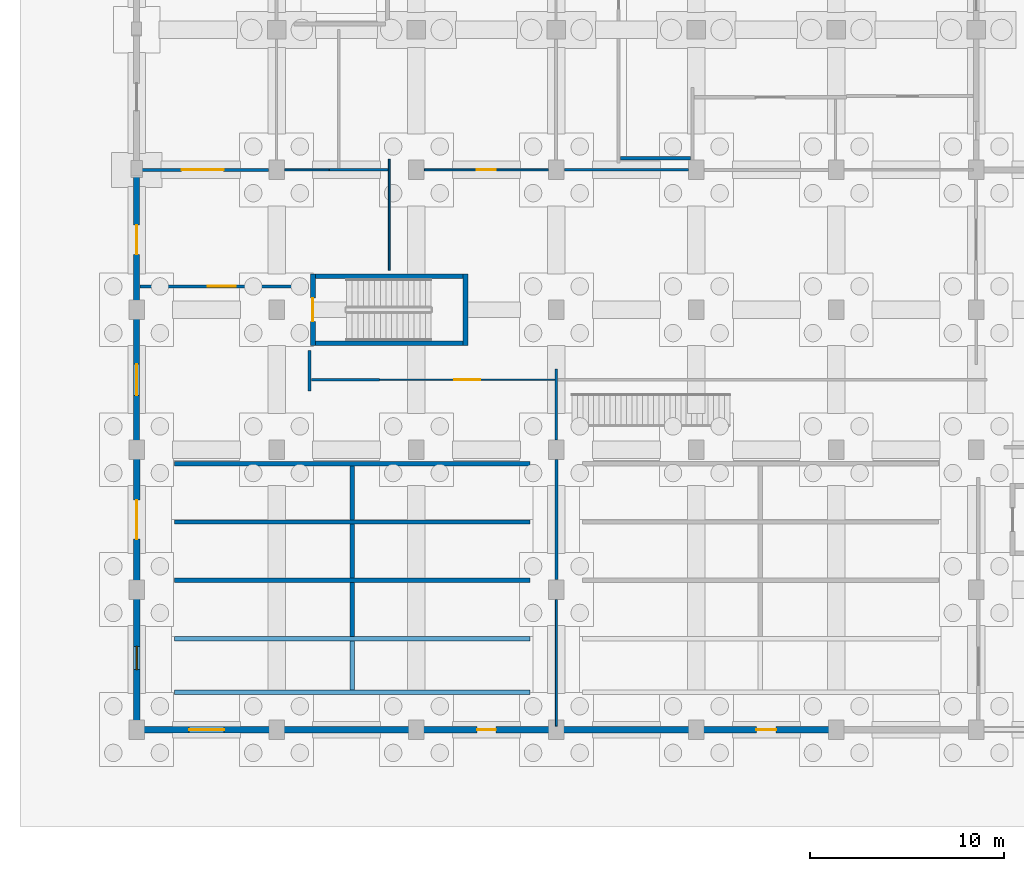
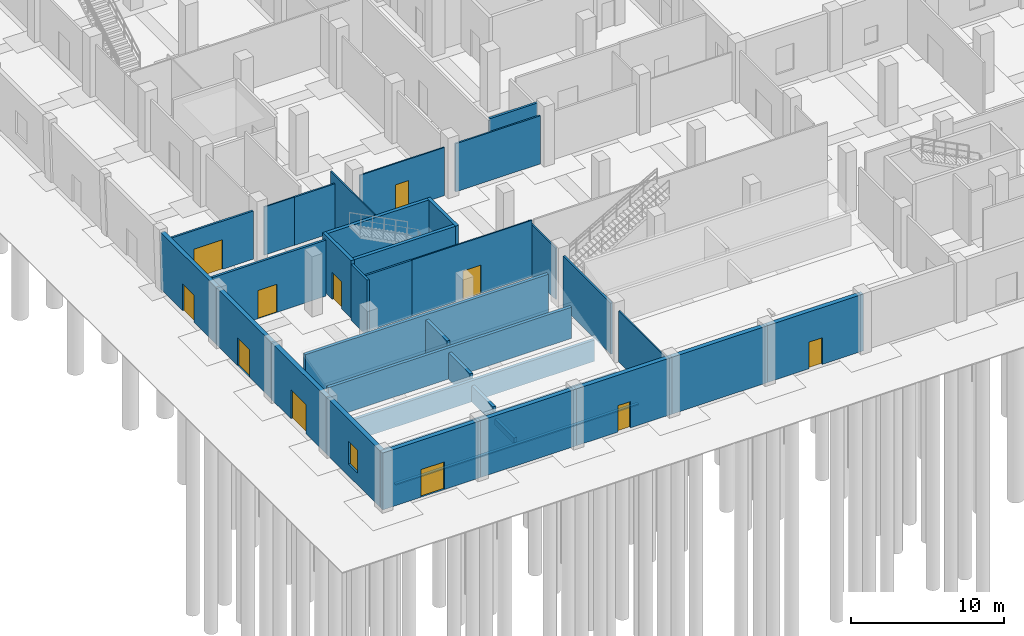
# One storey, part 18 of 48: 36 walls, 11 doors, 1 window, 12 openings.
"""IFC4 building model written with IfcOpenShell, lengths in metres."""

from ifc_helpers import new_model, si_unit, direction, frame, frame_2d, origin, place, context, subcontext, project, spatial, rectangle, extrude, material, layer, layer_set, type_object, element, fill, save


model = new_model("IFC4")

# Units and contexts
model_context = context("Model", 3, precision=1e-05, world=origin(), true_north=direction((0.0, 1.0)))
body_context = subcontext(model_context, "Body", "Model", "MODEL_VIEW")
ifc_project = project(units=[si_unit("LENGTHUNIT", "METRE"), si_unit("AREAUNIT", "SQUARE_METRE"), si_unit("VOLUMEUNIT", "CUBIC_METRE"), si_unit("PLANEANGLEUNIT", "RADIAN"), si_unit("MASSUNIT", "GRAM", prefix="KILO")], contexts=[model_context])

# Site, building, storey
site_placement = place(None, origin())
site = spatial("IfcSite", under=ifc_project, at=site_placement, CompositionType="ELEMENT")
building_placement = place(site_placement, origin())
building = spatial("IfcBuilding", under=site, at=building_placement, Name="Seraya Terrace Polytechnic", CompositionType="ELEMENT")
storey_placement = place(building_placement, origin())
storey = spatial("IfcBuildingStorey", under=building, at=storey_placement, Name="L00", CompositionType="ELEMENT", Elevation=0.0)

# Wall, opening, door
ifc_material_1 = material(Name="Concrete C40/50", Category="concrete")
ifc_layer_1 = layer(ifc_material_1, 0.300048828125, Name="EW-01")
ifc_layer_set_1 = layer_set([ifc_layer_1], Name="Concrete C40/50")
wall_type_1 = type_object("IfcWallType", Name="EW-01", PredefinedType="SOLIDWALL", material=ifc_layer_set_1)
wall_1_placement = place(storey_placement, frame((0.0, 14.39990234375, 0.0), z_axis=(0.0, 0.0, 1.0), x_axis=(0.0, 1.0, 0.0)))
wall_1 = element("IfcWall", 1, at=wall_1_placement, inside=storey, type_object=wall_type_1, Name="Exterior structural wall EW-01 L00", PredefinedType="SOLIDWALL", context=body_context, shape_type="SweptSolid", body=[
    extrude(rectangle(XDim=7.2001953125, YDim=0.300048828125, at=frame_2d((3.60009765625, 0.0))), origin(), (0.0, 0.0, 1.0), 4.52001953125),
])
opening_1_placement = place(wall_1_placement, frame((2.800048828125, 0.0, 0.0)))
opening_1 = element("IfcOpeningElement", 2, at=opening_1_placement, cuts=wall_1, Name="Opening ED-03", PredefinedType="OPENING", context=body_context, shape_type="SweptSolid", body=[
    extrude(rectangle(XDim=1.60009765625, YDim=2.199951171875, at=frame_2d((0.800048828125, 1.10009765625))), frame((0.0, 0.162109375, 0.0), z_axis=(0.0, -1.0, 0.0), x_axis=(1.0, 0.0, 0.0)), (0.0, 0.0, 1.0), 0.323974609375),
])
ifc_material_2 = material(Name="Anodised aluminium EN AW-6063 T6", Category="aluminium")
door_type_1 = type_object("IfcDoorType", Name="ED-03", OperationType="DOUBLE_DOOR_SINGLE_SWING", PredefinedType="DOOR", material=ifc_material_2)
door_1_placement = place(opening_1_placement, origin())
door_1 = element("IfcDoor", 3, at=door_1_placement, inside=storey, type_object=door_type_1, Name="Door ED-03 DR-STEXIT-ST-09 in WL-EXT-L00-09-02", OperationType="DOUBLE_DOOR_SINGLE_SWING", OverallHeight=2.199951171875, OverallWidth=1.60009765625, PredefinedType="DOOR", context=body_context, shape_type="SweptSolid", body=[
    extrude(rectangle(XDim=1.60009765625, YDim=2.199951171875, at=frame_2d((0.800048828125, 1.10009765625))), frame((0.0, 0.02490234375, 0.0), z_axis=(0.0, -1.0, 0.0), x_axis=(1.0, 0.0, 0.0)), (0.0, 0.0, 1.0), 0.050048828125),
])
fill(opening_1, door_1)

wall_2_placement = place(storey_placement, frame((0.0, 21.60009765625, 0.0), z_axis=(0.0, 0.0, 1.0), x_axis=(0.0, 1.0, 0.0)))
wall_2 = element("IfcWall", 4, at=wall_2_placement, inside=storey, type_object=wall_type_1, Name="Exterior structural wall EW-01 L00", PredefinedType="SOLIDWALL", context=body_context, shape_type="SweptSolid", body=[
    extrude(rectangle(XDim=7.199951171875, YDim=0.300048828125, at=frame_2d((3.60009765625, 0.0))), origin(), (0.0, 0.0, 1.0), 4.52001953125),
])
opening_2_placement = place(wall_2_placement, frame((2.85009765625, 0.0, 0.0)))
opening_2 = element("IfcOpeningElement", 5, at=opening_2_placement, cuts=wall_2, Name="Opening ED-04", PredefinedType="OPENING", context=body_context, shape_type="SweptSolid", body=[
    extrude(rectangle(XDim=1.5, YDim=2.14990234375, at=frame_2d((0.75, 1.074951171875))), frame((0.0, 0.162109375, 0.0), z_axis=(0.0, -1.0, 0.0), x_axis=(1.0, 0.0, 0.0)), (0.0, 0.0, 1.0), 0.323974609375),
])
door_type_2 = type_object("IfcDoorType", Name="ED-04", OperationType="DOUBLE_DOOR_SINGLE_SWING", PredefinedType="DOOR", material=ifc_material_2)
door_2_placement = place(opening_2_placement, origin())
door_2 = element("IfcDoor", 6, at=door_2_placement, inside=storey, type_object=door_type_2, Name="Door ED-04 DR-EXIT-L00-036 in WL-EXT-L00-09-03", OperationType="DOUBLE_DOOR_SINGLE_SWING", OverallHeight=2.14990234375, OverallWidth=1.5, PredefinedType="DOOR", context=body_context, shape_type="SweptSolid", body=[
    extrude(rectangle(XDim=1.5, YDim=2.14990234375, at=frame_2d((0.75, 1.074951171875))), frame((0.0, 0.02490234375, 0.0), z_axis=(0.0, -1.0, 0.0), x_axis=(1.0, 0.0, 0.0)), (0.0, 0.0, 1.0), 0.050048828125),
])
fill(opening_2, door_2)

ifc_layer_2 = layer(ifc_material_1, 0.330078125, Name="EW-06")
ifc_layer_set_2 = layer_set([ifc_layer_2], Name="Concrete C40/50")
wall_type_2 = type_object("IfcWallType", Name="EW-06", PredefinedType="SOLIDWALL", material=ifc_layer_set_2)
wall_3_placement = place(storey_placement, frame((36.0, 0.0, 0.0), z_axis=(0.0, 0.0, 1.0), x_axis=(-1.0, 0.0, 0.0)))
wall_3 = element("IfcWall", 7, at=wall_3_placement, inside=storey, type_object=wall_type_2, Name="Exterior structural wall EW-06 L00", PredefinedType="SOLIDWALL", context=body_context, shape_type="SweptSolid", body=[
    extrude(rectangle(XDim=7.199951171875, YDim=0.330078125, at=frame_2d((3.60009765625, 0.0))), origin(), (0.0, 0.0, 1.0), 4.52001953125),
])
opening_3_placement = place(wall_3_placement, frame((3.090087890625, 0.0, 0.0)))
opening_3 = element("IfcOpeningElement", 8, at=opening_3_placement, cuts=wall_3, Name="Opening ED-07", PredefinedType="OPENING", context=body_context, shape_type="SweptSolid", body=[
    extrude(rectangle(XDim=1.02001953125, YDim=2.1201171875, at=frame_2d((0.510009765625, 1.06005859375))), frame((0.0, 0.177001953125, 0.0), z_axis=(0.0, -1.0, 0.0), x_axis=(1.0, 0.0, 0.0)), (0.0, 0.0, 1.0), 0.35400390625),
])
door_type_3 = type_object("IfcDoorType", Name="ED-07", OperationType="NOTDEFINED", PredefinedType="DOOR", material=ifc_material_2)
door_3_placement = place(opening_3_placement, origin())
door_3 = element("IfcDoor", 9, at=door_3_placement, inside=storey, type_object=door_type_3, Name="Door ED-07 DR-EXIT-L00-031 in WL-EXT-L00-08-18", OperationType="SINGLE_SWING_RIGHT", OverallHeight=2.1201171875, OverallWidth=1.02001953125, PredefinedType="DOOR", context=body_context, shape_type="SweptSolid", body=[
    extrude(rectangle(XDim=1.02001953125, YDim=2.1201171875, at=frame_2d((0.510009765625, 1.06005859375))), frame((0.0, 0.02490234375, 0.0), z_axis=(0.0, -1.0, 0.0), x_axis=(1.0, 0.0, 0.0)), (0.0, 0.0, 1.0), 0.050048828125),
])
fill(opening_3, door_3)

# Wall
wall_4_placement = place(storey_placement, frame((28.800048828125, 0.0, 0.0), z_axis=(0.0, 0.0, 1.0), x_axis=(-1.0, 0.0, 0.0)))
element("IfcWall", 10, at=wall_4_placement, inside=storey, type_object=wall_type_2, Name="Exterior structural wall EW-06 L00", PredefinedType="SOLIDWALL", context=body_context, shape_type="SweptSolid", body=[
    extrude(rectangle(XDim=7.199951171875, YDim=0.330078125, at=frame_2d((3.60009765625, 0.0))), origin(), (0.0, 0.0, 1.0), 4.52001953125),
])

# Wall, opening, door
wall_5_placement = place(storey_placement, frame((21.60009765625, 0.0, 0.0), z_axis=(0.0, 0.0, 1.0), x_axis=(-1.0, 0.0, 0.0)))
wall_5 = element("IfcWall", 11, at=wall_5_placement, inside=storey, type_object=wall_type_2, Name="Exterior structural wall EW-06 L00", PredefinedType="SOLIDWALL", context=body_context, shape_type="SweptSolid", body=[
    extrude(rectangle(XDim=7.2001953125, YDim=0.330078125, at=frame_2d((3.60009765625, 0.0))), origin(), (0.0, 0.0, 1.0), 4.52001953125),
])
opening_4_placement = place(wall_5_placement, frame((3.1201171875, 0.0, 0.0)))
opening_4 = element("IfcOpeningElement", 12, at=opening_4_placement, cuts=wall_5, Name="Opening ED-08", PredefinedType="OPENING", context=body_context, shape_type="SweptSolid", body=[
    extrude(rectangle(XDim=0.9599609375, YDim=2.10009765625, at=frame_2d((0.47998046875, 1.050048828125))), frame((0.0, 0.177001953125, 0.0), z_axis=(0.0, -1.0, 0.0), x_axis=(1.0, 0.0, 0.0)), (0.0, 0.0, 1.0), 0.35400390625),
])
door_type_4 = type_object("IfcDoorType", Name="ED-08", OperationType="NOTDEFINED", PredefinedType="DOOR", material=ifc_material_2)
door_4_placement = place(opening_4_placement, origin())
door_4 = element("IfcDoor", 13, at=door_4_placement, inside=storey, type_object=door_type_4, Name="Door ED-08 DR-EXIT-L00-032 in WL-EXT-L00-08-20", OperationType="SINGLE_SWING_LEFT", OverallHeight=2.10009765625, OverallWidth=0.9599609375, PredefinedType="DOOR", context=body_context, shape_type="SweptSolid", body=[
    extrude(rectangle(XDim=0.9599609375, YDim=2.10009765625, at=frame_2d((0.47998046875, 1.050048828125))), frame((0.0, 0.02490234375, 0.0), z_axis=(0.0, -1.0, 0.0), x_axis=(1.0, 0.0, 0.0)), (0.0, 0.0, 1.0), 0.050048828125),
])
fill(opening_4, door_4)

# Wall
wall_6_placement = place(storey_placement, frame((14.39990234375, 0.0, 0.0), z_axis=(0.0, 0.0, 1.0), x_axis=(-1.0, 0.0, 0.0)))
element("IfcWall", 14, at=wall_6_placement, inside=storey, type_object=wall_type_2, Name="Exterior structural wall EW-06 L00", PredefinedType="SOLIDWALL", context=body_context, shape_type="SweptSolid", body=[
    extrude(rectangle(XDim=7.199951171875, YDim=0.330078125, at=frame_2d((3.60009765625, 0.0))), origin(), (0.0, 0.0, 1.0), 4.52001953125),
])

# Wall, opening, door
wall_7_placement = place(storey_placement, frame((7.199951171875, 0.0, 0.0), z_axis=(0.0, 0.0, 1.0), x_axis=(-1.0, 0.0, 0.0)))
wall_7 = element("IfcWall", 15, at=wall_7_placement, inside=storey, type_object=wall_type_2, Name="Exterior structural wall EW-06 L00", PredefinedType="SOLIDWALL", context=body_context, shape_type="SweptSolid", body=[
    extrude(rectangle(XDim=7.349853515625, YDim=0.330078125, at=frame_2d((3.6748046875, 0.0))), origin(), (0.0, 0.0, 1.0), 4.52001953125),
])
opening_5_placement = place(wall_7_placement, frame((2.699951171875, 0.0, 0.0)))
opening_5 = element("IfcOpeningElement", 16, at=opening_5_placement, cuts=wall_7, Name="Opening ED-01", PredefinedType="OPENING", context=body_context, shape_type="SweptSolid", body=[
    extrude(rectangle(XDim=1.800048828125, YDim=2.199951171875, at=frame_2d((0.89990234375, 1.10009765625))), frame((0.0, 0.177001953125, 0.0), z_axis=(0.0, -1.0, 0.0), x_axis=(1.0, 0.0, 0.0)), (0.0, 0.0, 1.0), 0.35400390625),
])
door_type_5 = type_object("IfcDoorType", Name="ED-01", OperationType="DOUBLE_DOOR_SINGLE_SWING", PredefinedType="DOOR", material=ifc_material_2)
door_5_placement = place(opening_5_placement, origin())
door_5 = element("IfcDoor", 17, at=door_5_placement, inside=storey, type_object=door_type_5, Name="Door ED-01 DR-EXIT-L00-033 in WL-EXT-L00-08-22", OperationType="DOUBLE_DOOR_SINGLE_SWING", OverallHeight=2.199951171875, OverallWidth=1.800048828125, PredefinedType="DOOR", context=body_context, shape_type="SweptSolid", body=[
    extrude(rectangle(XDim=1.800048828125, YDim=2.199951171875, at=frame_2d((0.89990234375, 1.10009765625))), frame((0.0, 0.02490234375, 0.0), z_axis=(0.0, -1.0, 0.0), x_axis=(1.0, 0.0, 0.0)), (0.0, 0.0, 1.0), 0.050048828125),
])
fill(opening_5, door_5)

# Wall, opening, window
wall_8_placement = place(storey_placement, frame((0.0, 0.166015625, 0.0), z_axis=(0.0, 0.0, 1.0), x_axis=(0.0, 1.0, 0.0)))
wall_8 = element("IfcWall", 18, at=wall_8_placement, inside=storey, type_object=wall_type_2, Name="Exterior structural wall EW-06 L00", PredefinedType="SOLIDWALL", context=body_context, shape_type="SweptSolid", body=[
    extrude(rectangle(XDim=7.033935546875, YDim=0.330078125, at=frame_2d((3.51708984375, 0.0))), origin(), (0.0, 0.0, 1.0), 4.52001953125),
])
opening_6_placement = place(wall_8_placement, frame((2.9169921875, 0.0, 0.949951171875)))
opening_6 = element("IfcOpeningElement", 19, at=opening_6_placement, cuts=wall_8, Name="Opening WN-27", PredefinedType="OPENING", context=body_context, shape_type="SweptSolid", body=[
    extrude(rectangle(XDim=1.199951171875, YDim=1.800048828125, at=frame_2d((0.60009765625, 0.89990234375))), frame((0.0, 0.177001953125, 0.0), z_axis=(0.0, -1.0, 0.0), x_axis=(1.0, 0.0, 0.0)), (0.0, 0.0, 1.0), 0.35400390625),
])
ifc_material_3 = material(Name="Laminated solar-control Low-E double glazing", Category="glass")
window_type = type_object("IfcWindowType", Name="WN-27", PartitioningType="SINGLE_PANEL", PredefinedType="WINDOW", material=ifc_material_3)
window_placement = place(opening_6_placement, origin())
window = element("IfcWindow", 20, at=window_placement, inside=storey, type_object=window_type, Name="Exterior window WN-27 L00", OverallHeight=1.800048828125, OverallWidth=1.199951171875, PartitioningType="SINGLE_PANEL", PredefinedType="WINDOW", context=body_context, shape_type="SweptSolid", body=[
    extrude(rectangle(XDim=1.199951171875, YDim=1.800048828125, at=frame_2d((0.60009765625, 0.89990234375))), frame((0.0, 0.030029296875, 0.0), z_axis=(0.0, -1.0, 0.0), x_axis=(1.0, 0.0, 0.0)), (0.0, 0.0, 1.0), 0.06005859375),
])
fill(opening_6, window)

# Wall, opening, door
wall_9_placement = place(storey_placement, frame((0.0, 7.199951171875, 0.0), z_axis=(0.0, 0.0, 1.0), x_axis=(0.0, 1.0, 0.0)))
wall_9 = element("IfcWall", 21, at=wall_9_placement, inside=storey, type_object=wall_type_2, Name="Exterior structural wall EW-06 L00", PredefinedType="SOLIDWALL", context=body_context, shape_type="SweptSolid", body=[
    extrude(rectangle(XDim=7.199951171875, YDim=0.330078125, at=frame_2d((3.60009765625, 0.0))), origin(), (0.0, 0.0, 1.0), 4.52001953125),
])
opening_7_placement = place(wall_9_placement, frame((2.60009765625, 0.0, 0.0)))
opening_7 = element("IfcOpeningElement", 22, at=opening_7_placement, cuts=wall_9, Name="Opening ED-02", PredefinedType="OPENING", context=body_context, shape_type="SweptSolid", body=[
    extrude(rectangle(XDim=2.0, YDim=2.300048828125, at=frame_2d((1.0, 1.14990234375))), frame((0.0, 0.177001953125, 0.0), z_axis=(0.0, -1.0, 0.0), x_axis=(1.0, 0.0, 0.0)), (0.0, 0.0, 1.0), 0.35400390625),
])
door_type_6 = type_object("IfcDoorType", Name="ED-02", OperationType="DOUBLE_DOOR_SINGLE_SWING", PredefinedType="DOOR", material=ifc_material_2)
door_6_placement = place(opening_7_placement, origin())
door_6 = element("IfcDoor", 23, at=door_6_placement, inside=storey, type_object=door_type_6, Name="Door ED-02 DR-EXIT-L00-034 in WL-EXT-L00-09-01", OperationType="DOUBLE_DOOR_SINGLE_SWING", OverallHeight=2.300048828125, OverallWidth=2.0, PredefinedType="DOOR", context=body_context, shape_type="SweptSolid", body=[
    extrude(rectangle(XDim=2.0, YDim=2.300048828125, at=frame_2d((1.0, 1.14990234375))), frame((0.0, 0.02490234375, 0.0), z_axis=(0.0, -1.0, 0.0), x_axis=(1.0, 0.0, 0.0)), (0.0, 0.0, 1.0), 0.050048828125),
])
fill(opening_7, door_6)

ifc_material_4 = material(Name="Autoclaved aerated concrete blockwork", Category="masonry")
ifc_layer_3 = layer(ifc_material_4, 0.169921875, Name="PT-02")
ifc_layer_set_3 = layer_set([ifc_layer_3], Name="Autoclaved aerated concrete blockwork")
wall_type_3 = type_object("IfcWallType", Name="PT-02", PredefinedType="PARTITIONING", material=ifc_layer_set_3)
wall_10_placement = place(storey_placement, frame((0.162109375, 22.800048828125, 0.0), z_axis=(0.0, 0.0, 1.0), x_axis=(1.0, 0.0, 0.0)))
wall_10 = element("IfcWall", 24, at=wall_10_placement, inside=storey, type_object=wall_type_3, Name="Internal partition PT-02 L00", PredefinedType="PARTITIONING", context=body_context, shape_type="SweptSolid", body=[
    extrude(rectangle(XDim=8.60791015625, YDim=0.169921875, at=frame_2d((4.303955078125, 0.0))), origin(), (0.0, 0.0, 1.0), 4.4599609375),
])
opening_8_placement = place(wall_10_placement, frame((3.510009765625, 0.0, 0.0)))
opening_8 = element("IfcOpeningElement", 25, at=opening_8_placement, cuts=wall_10, Name="Opening ID-10", PredefinedType="OPENING", context=body_context, shape_type="SweptSolid", body=[
    extrude(rectangle(XDim=1.419921875, YDim=2.239990234375, at=frame_2d((0.7099609375, 1.1201171875))), frame((0.0, 0.096923828125, 0.0), z_axis=(0.0, -1.0, 0.0), x_axis=(1.0, 0.0, 0.0)), (0.0, 0.0, 1.0), 0.19384765625),
])
ifc_material_5 = material(Name="Malaysian dark red meranti hardwood timber D40", Category="wood")
door_type_7 = type_object("IfcDoorType", Name="ID-10", OperationType="DOUBLE_DOOR_SINGLE_SWING", PredefinedType="DOOR", material=ifc_material_5)
door_7_placement = place(opening_8_placement, frame((1.419921875, 0.0, 0.0), z_axis=(0.0, 0.0, 1.0), x_axis=(-1.0, 0.0, 0.0)))
door_7 = element("IfcDoor", 26, at=door_7_placement, inside=storey, type_object=door_type_7, Name="Door ID-10 DR-INT-L00-0023 in WL-INT-L00-0015", OperationType="DOUBLE_DOOR_SINGLE_SWING", OverallHeight=2.239990234375, OverallWidth=1.419921875, PredefinedType="DOOR", context=body_context, shape_type="SweptSolid", body=[
    extrude(rectangle(XDim=1.419921875, YDim=2.239990234375, at=frame_2d((0.7099609375, 1.1201171875))), frame((0.0, 0.02490234375, 0.0), z_axis=(0.0, -1.0, 0.0), x_axis=(1.0, 0.0, 0.0)), (0.0, 0.0, 1.0), 0.050048828125),
])
fill(opening_8, door_7)

# Walls
wall_11_placement = place(storey_placement, frame((8.89990234375, 17.428466796875, 0.0), z_axis=(0.0, 0.0, 1.0), x_axis=(0.0, 1.0, 0.0)))
element("IfcWall", 27, at=wall_11_placement, inside=storey, type_object=wall_type_3, Name="Internal partition PT-02 L00", PredefinedType="PARTITIONING", context=body_context, shape_type="SweptSolid", body=[
    extrude(rectangle(XDim=2.072021484375, YDim=0.169921875, at=frame_2d((1.0361328125, 0.0))), origin(), (0.0, 0.0, 1.0), 4.4599609375),
])
wall_12_placement = place(storey_placement, frame((24.89990234375, 29.39990234375, 0.0), z_axis=(0.0, 0.0, 1.0), x_axis=(1.0, 0.0, 0.0)))
element("IfcWall", 28, at=wall_12_placement, inside=storey, type_object=wall_type_3, Name="Internal partition PT-02 L00", PredefinedType="PARTITIONING", context=body_context, shape_type="SweptSolid", body=[
    extrude(rectangle(XDim=3.60009765625, YDim=0.169921875, at=frame_2d((1.800048828125, 0.0))), origin(), (0.0, 0.0, 1.0), 4.4599609375),
])
ifc_layer_4 = layer(ifc_material_4, 0.14990234375, Name="PT-03")
ifc_layer_set_4 = layer_set([ifc_layer_4], Name="Autoclaved aerated concrete blockwork")
wall_type_4 = type_object("IfcWallType", Name="PT-03", PredefinedType="PARTITIONING", material=ifc_layer_set_4)
wall_13_placement = place(storey_placement, frame((21.60009765625, 7.7099609375, 0.0), z_axis=(0.0, 0.0, 1.0), x_axis=(0.0, 1.0, 0.0)))
element("IfcWall", 29, at=wall_13_placement, inside=storey, type_object=wall_type_4, Name="Internal partition PT-03 L00", PredefinedType="PARTITIONING", context=body_context, shape_type="SweptSolid", body=[
    extrude(rectangle(XDim=6.179931640625, YDim=0.14990234375, at=frame_2d((3.08984375, 0.0))), origin(), (0.0, 0.0, 1.0), 4.080078125),
])
wall_14_placement = place(storey_placement, frame((9.0, 18.0, 0.0), z_axis=(0.0, 0.0, 1.0), x_axis=(1.0, 0.0, 0.0)))
element("IfcWall", 30, at=wall_14_placement, inside=storey, type_object=wall_type_4, Name="Internal partition PT-03 L00", PredefinedType="PARTITIONING", context=body_context, shape_type="SweptSolid", body=[
    extrude(rectangle(XDim=3.5, YDim=0.14990234375, at=frame_2d((1.75, 0.0))), origin(), (0.0, 0.0, 1.0), 4.4599609375),
])

# Wall, opening, door
wall_15_placement = place(storey_placement, frame((0.162109375, 28.800048828125, 0.0), z_axis=(0.0, 0.0, 1.0), x_axis=(1.0, 0.0, 0.0)))
wall_15 = element("IfcWall", 31, at=wall_15_placement, inside=storey, type_object=wall_type_4, Name="Internal partition PT-03 L00", PredefinedType="PARTITIONING", context=body_context, shape_type="SweptSolid", body=[
    extrude(rectangle(XDim=6.6279296875, YDim=0.14990234375, at=frame_2d((3.31396484375, 0.0))), origin(), (0.0, 0.0, 1.0), 3.830078125),
])
opening_9_placement = place(wall_15_placement, frame((2.14990234375, 0.0, 0.0)))
opening_9 = element("IfcOpeningElement", 32, at=opening_9_placement, cuts=wall_15, Name="Opening ID-18", PredefinedType="OPENING", context=body_context, shape_type="SweptSolid", body=[
    extrude(rectangle(XDim=2.159912109375, YDim=2.35009765625, at=frame_2d((1.080078125, 1.175048828125))), frame((0.0, 0.0869140625, 0.0), z_axis=(0.0, -1.0, 0.0), x_axis=(1.0, 0.0, 0.0)), (0.0, 0.0, 1.0), 0.173828125),
])
door_type_8 = type_object("IfcDoorType", Name="ID-18", OperationType="DOUBLE_DOOR_SINGLE_SWING", PredefinedType="DOOR", material=ifc_material_5)
door_8_placement = place(opening_9_placement, frame((2.159912109375, 0.0, 0.0), z_axis=(0.0, 0.0, 1.0), x_axis=(-1.0, 0.0, 0.0)))
door_8 = element("IfcDoor", 33, at=door_8_placement, inside=storey, type_object=door_type_8, Name="Door ID-18 DR-INT-L00-0031 in WL-INT-L00-0139", OperationType="DOUBLE_DOOR_SINGLE_SWING", OverallHeight=2.35009765625, OverallWidth=2.159912109375, PredefinedType="DOOR", context=body_context, shape_type="SweptSolid", body=[
    extrude(rectangle(XDim=2.159912109375, YDim=2.35009765625, at=frame_2d((1.080078125, 1.175048828125))), frame((0.0, 0.02490234375, 0.0), z_axis=(0.0, -1.0, 0.0), x_axis=(1.0, 0.0, 0.0)), (0.0, 0.0, 1.0), 0.050048828125),
])
fill(opening_9, door_8)

# Walls
ifc_layer_5 = layer(ifc_material_4, 0.1201171875, Name="PT-05")
ifc_layer_set_5 = layer_set([ifc_layer_5], Name="Autoclaved aerated concrete blockwork")
wall_type_5 = type_object("IfcWallType", Name="PT-05", PredefinedType="PARTITIONING", material=ifc_layer_set_5)
wall_16_placement = place(storey_placement, frame((21.60009765625, 14.909912109375, 0.0), z_axis=(0.0, 0.0, 1.0), x_axis=(0.0, 1.0, 0.0)))
element("IfcWall", 34, at=wall_16_placement, inside=storey, type_object=wall_type_5, Name="Internal partition PT-05 L00", PredefinedType="PARTITIONING", context=body_context, shape_type="SweptSolid", body=[
    extrude(rectangle(XDim=3.650146484375, YDim=0.1201171875, at=frame_2d((1.8251953125, 0.0))), origin(), (0.0, 0.0, 1.0), 4.080078125),
])
wall_17_placement = place(storey_placement, frame((22.010009765625, 28.800048828125, 0.0), z_axis=(0.0, 0.0, 1.0), x_axis=(1.0, 0.0, 0.0)))
element("IfcWall", 35, at=wall_17_placement, inside=storey, type_object=wall_type_5, Name="Internal partition PT-05 L00", PredefinedType="PARTITIONING", context=body_context, shape_type="SweptSolid", body=[
    extrude(rectangle(XDim=6.3798828125, YDim=0.1201171875, at=frame_2d((3.18994140625, 0.0))), origin(), (0.0, 0.0, 1.0), 3.830078125),
])
wall_18_placement = place(storey_placement, frame((9.89990234375, 28.800048828125, 0.0), z_axis=(0.0, 0.0, 1.0), x_axis=(1.0, 0.0, 0.0)))
element("IfcWall", 36, at=wall_18_placement, inside=storey, type_object=wall_type_5, Name="Internal partition PT-05 L00", PredefinedType="PARTITIONING", context=body_context, shape_type="SweptSolid", body=[
    extrude(rectangle(XDim=3.03515625, YDim=0.1201171875, at=frame_2d((1.517578125, 0.0))), origin(), (0.0, 0.0, 1.0), 3.830078125),
])
ifc_layer_6 = layer(ifc_material_4, 0.10009765625, Name="PT-06")
ifc_layer_set_6 = layer_set([ifc_layer_6], Name="Autoclaved aerated concrete blockwork")
wall_type_6 = type_object("IfcWallType", Name="PT-06", PredefinedType="PARTITIONING", material=ifc_layer_set_6)
wall_19_placement = place(storey_placement, frame((21.60009765625, 0.177001953125, 0.0), z_axis=(0.0, 0.0, 1.0), x_axis=(0.0, 1.0, 0.0)))
element("IfcWall", 37, at=wall_19_placement, inside=storey, type_object=wall_type_6, Name="Internal partition PT-06 L00", PredefinedType="PARTITIONING", context=body_context, shape_type="SweptSolid", body=[
    extrude(rectangle(XDim=6.512939453125, YDim=0.10009765625, at=frame_2d((3.25634765625, 0.0))), origin(), (0.0, 0.0, 1.0), 4.080078125),
])

# Wall, opening, door
wall_20_placement = place(storey_placement, frame((12.5, 18.0, 0.0), z_axis=(0.0, 0.0, 1.0), x_axis=(1.0, 0.0, 0.0)))
wall_20 = element("IfcWall", 38, at=wall_20_placement, inside=storey, type_object=wall_type_6, Name="Internal partition PT-06 L00", PredefinedType="PARTITIONING", context=body_context, shape_type="SweptSolid", body=[
    extrude(rectangle(XDim=9.02490234375, YDim=0.10009765625, at=frame_2d((4.512451171875, 0.0))), origin(), (0.0, 0.0, 1.0), 4.4599609375),
])
opening_10_placement = place(wall_20_placement, frame((3.842529296875, 0.0, 0.0)))
opening_10 = element("IfcOpeningElement", 39, at=opening_10_placement, cuts=wall_20, Name="Opening ID-09", PredefinedType="OPENING", context=body_context, shape_type="SweptSolid", body=[
    extrude(rectangle(XDim=1.340087890625, YDim=2.239990234375, at=frame_2d((0.669921875, 1.1201171875))), frame((0.0, 0.06201171875, 0.0), z_axis=(0.0, -1.0, 0.0), x_axis=(1.0, 0.0, 0.0)), (0.0, 0.0, 1.0), 0.1240234375),
])
door_type_9 = type_object("IfcDoorType", Name="ID-09", OperationType="NOTDEFINED", PredefinedType="DOOR", material=ifc_material_5)
door_9_placement = place(opening_10_placement, origin())
door_9 = element("IfcDoor", 40, at=door_9_placement, inside=storey, type_object=door_type_9, Name="Door ID-09 DR-INT-L00-0022 in WL-INT-L00-0129", OperationType="SINGLE_SWING_LEFT", OverallHeight=2.239990234375, OverallWidth=1.340087890625, PredefinedType="DOOR", context=body_context, shape_type="SweptSolid", body=[
    extrude(rectangle(XDim=1.340087890625, YDim=2.239990234375, at=frame_2d((0.669921875, 1.1201171875))), frame((0.0, 0.02490234375, 0.0), z_axis=(0.0, -1.0, 0.0), x_axis=(1.0, 0.0, 0.0)), (0.0, 0.0, 1.0), 0.050048828125),
])
fill(opening_10, door_9)

# Wall
wall_21_placement = place(storey_placement, frame((13.0, 23.6298828125, 0.0), z_axis=(0.0, 0.0, 1.0), x_axis=(0.0, 1.0, 0.0)))
element("IfcWall", 41, at=wall_21_placement, inside=storey, type_object=wall_type_6, Name="Internal partition PT-06 L00", PredefinedType="PARTITIONING", context=body_context, shape_type="SweptSolid", body=[
    extrude(rectangle(XDim=5.724365234375, YDim=0.10009765625, at=frame_2d((2.8623046875, 0.0))), origin(), (0.0, 0.0, 1.0), 4.4599609375),
])

# Wall, opening, door
wall_22_placement = place(storey_placement, frame((14.81005859375, 28.800048828125, 0.0), z_axis=(0.0, 0.0, 1.0), x_axis=(1.0, 0.0, 0.0)))
wall_22 = element("IfcWall", 42, at=wall_22_placement, inside=storey, type_object=wall_type_6, Name="Internal partition PT-06 L00", PredefinedType="PARTITIONING", context=body_context, shape_type="SweptSolid", body=[
    extrude(rectangle(XDim=6.3798828125, YDim=0.10009765625, at=frame_2d((3.18994140625, 0.0))), origin(), (0.0, 0.0, 1.0), 3.830078125),
])
opening_11_placement = place(wall_22_placement, frame((2.699951171875, 0.0, 0.0)))
opening_11 = element("IfcOpeningElement", 43, at=opening_11_placement, cuts=wall_22, Name="Opening ID-03", PredefinedType="OPENING", context=body_context, shape_type="SweptSolid", body=[
    extrude(rectangle(XDim=0.97998046875, YDim=2.139892578125, at=frame_2d((0.489990234375, 1.06982421875))), frame((0.0, 0.06201171875, 0.0), z_axis=(0.0, -1.0, 0.0), x_axis=(1.0, 0.0, 0.0)), (0.0, 0.0, 1.0), 0.1240234375),
])
door_type_10 = type_object("IfcDoorType", Name="ID-03", OperationType="NOTDEFINED", PredefinedType="DOOR", material=ifc_material_5)
door_10_placement = place(opening_11_placement, origin())
door_10 = element("IfcDoor", 44, at=door_10_placement, inside=storey, type_object=door_type_10, Name="Door ID-03 DR-INT-L00-0032 in WL-INT-L00-0135", OperationType="SINGLE_SWING_LEFT", OverallHeight=2.139892578125, OverallWidth=0.97998046875, PredefinedType="DOOR", context=body_context, shape_type="SweptSolid", body=[
    extrude(rectangle(XDim=0.97998046875, YDim=2.139892578125, at=frame_2d((0.489990234375, 1.06982421875))), frame((0.0, 0.02490234375, 0.0), z_axis=(0.0, -1.0, 0.0), x_axis=(1.0, 0.0, 0.0)), (0.0, 0.0, 1.0), 0.050048828125),
])
fill(opening_11, door_10)

# Walls
wall_23_placement = place(storey_placement, frame((7.610107421875, 28.800048828125, 0.0), z_axis=(0.0, 0.0, 1.0), x_axis=(1.0, 0.0, 0.0)))
element("IfcWall", 45, at=wall_23_placement, inside=storey, type_object=wall_type_6, Name="Internal partition PT-06 L00", PredefinedType="PARTITIONING", context=body_context, shape_type="SweptSolid", body=[
    extrude(rectangle(XDim=2.289794921875, YDim=0.10009765625, at=frame_2d((1.14501953125, 0.0))), origin(), (0.0, 0.0, 1.0), 3.830078125),
])
ifc_layer_7 = layer(ifc_material_1, 0.22998046875, Name="RW-T1")
ifc_layer_set_7 = layer_set([ifc_layer_7], Name="Concrete C40/50")
wall_type_7 = type_object("IfcWallType", Name="RW-T1", PredefinedType="SOLIDWALL", material=ifc_layer_set_7)
wall_24_placement = place(storey_placement, frame((1.949951171875, 1.919921875, 0.0), z_axis=(0.0, 0.0, 1.0), x_axis=(1.0, 0.0, 0.0)))
element("IfcWall", 46, at=wall_24_placement, inside=storey, type_object=wall_type_7, Name="Lecture seating tier toe support wall LT1", PredefinedType="SOLIDWALL", context=body_context, shape_type="SweptSolid", body=[
    extrude(rectangle(XDim=18.300048828125, YDim=0.22998046875, at=frame_2d((9.14990234375, 0.0))), origin(), (0.0, 0.0, 1.0), 0.10009765625),
])
wall_25_placement = place(storey_placement, frame((1.949951171875, 4.679931640625, 0.0), z_axis=(0.0, 0.0, 1.0), x_axis=(1.0, 0.0, 0.0)))
element("IfcWall", 47, at=wall_25_placement, inside=storey, type_object=wall_type_7, Name="Lecture seating tier support wall LT1 bank 1", PredefinedType="SOLIDWALL", context=body_context, shape_type="SweptSolid", body=[
    extrude(rectangle(XDim=18.300048828125, YDim=0.22998046875, at=frame_2d((9.14990234375, 0.0))), origin(), (0.0, 0.0, 1.0), 0.8798828125),
])
wall_26_placement = place(storey_placement, frame((11.10009765625, 2.034912109375, 0.0), z_axis=(0.0, 0.0, 1.0), x_axis=(0.0, 1.0, 0.0)))
element("IfcWall", 48, at=wall_26_placement, inside=storey, type_object=wall_type_7, Name="Lecture seating tier spine wall LT1 bank 1", PredefinedType="SOLIDWALL", context=body_context, shape_type="SweptSolid", body=[
    extrude(rectangle(XDim=2.530029296875, YDim=0.22998046875, at=frame_2d((1.26513671875, 0.0))), origin(), (0.0, 0.0, 1.0), 0.47998046875),
])
wall_27_placement = place(storey_placement, frame((1.949951171875, 7.679931640625, 0.0), z_axis=(0.0, 0.0, 1.0), x_axis=(1.0, 0.0, 0.0)))
element("IfcWall", 49, at=wall_27_placement, inside=storey, type_object=wall_type_7, Name="Lecture seating tier support wall LT1 bank 2", PredefinedType="SOLIDWALL", context=body_context, shape_type="SweptSolid", body=[
    extrude(rectangle(XDim=18.300048828125, YDim=0.22998046875, at=frame_2d((9.14990234375, 0.0))), origin(), (0.0, 0.0, 1.0), 1.679931640625),
])
wall_28_placement = place(storey_placement, frame((11.10009765625, 4.794921875, 0.0), z_axis=(0.0, 0.0, 1.0), x_axis=(0.0, 1.0, 0.0)))
element("IfcWall", 50, at=wall_28_placement, inside=storey, type_object=wall_type_7, Name="Lecture seating tier spine wall LT1 bank 2", PredefinedType="SOLIDWALL", context=body_context, shape_type="SweptSolid", body=[
    extrude(rectangle(XDim=2.77001953125, YDim=0.22998046875, at=frame_2d((1.385009765625, 0.0))), origin(), (0.0, 0.0, 1.0), 1.280029296875),
])
wall_29_placement = place(storey_placement, frame((1.949951171875, 10.679931640625, 0.0), z_axis=(0.0, 0.0, 1.0), x_axis=(1.0, 0.0, 0.0)))
element("IfcWall", 51, at=wall_29_placement, inside=storey, type_object=wall_type_7, Name="Lecture seating tier support wall LT1 bank 3", PredefinedType="SOLIDWALL", context=body_context, shape_type="SweptSolid", body=[
    extrude(rectangle(XDim=18.300048828125, YDim=0.22998046875, at=frame_2d((9.14990234375, 0.0))), origin(), (0.0, 0.0, 1.0), 2.47998046875),
])
wall_30_placement = place(storey_placement, frame((11.10009765625, 7.794921875, 0.0), z_axis=(0.0, 0.0, 1.0), x_axis=(0.0, 1.0, 0.0)))
element("IfcWall", 52, at=wall_30_placement, inside=storey, type_object=wall_type_7, Name="Lecture seating tier spine wall LT1 bank 3", PredefinedType="SOLIDWALL", context=body_context, shape_type="SweptSolid", body=[
    extrude(rectangle(XDim=2.77001953125, YDim=0.22998046875, at=frame_2d((1.385009765625, 0.0))), origin(), (0.0, 0.0, 1.0), 2.080078125),
])
wall_31_placement = place(storey_placement, frame((1.949951171875, 13.679931640625, 0.0), z_axis=(0.0, 0.0, 1.0), x_axis=(1.0, 0.0, 0.0)))
element("IfcWall", 53, at=wall_31_placement, inside=storey, type_object=wall_type_7, Name="Lecture seating tier support wall LT1 bank 4", PredefinedType="SOLIDWALL", context=body_context, shape_type="SweptSolid", body=[
    extrude(rectangle(XDim=18.300048828125, YDim=0.22998046875, at=frame_2d((9.14990234375, 0.0))), origin(), (0.0, 0.0, 1.0), 3.280029296875),
])
wall_32_placement = place(storey_placement, frame((11.10009765625, 10.794921875, 0.0), z_axis=(0.0, 0.0, 1.0), x_axis=(0.0, 1.0, 0.0)))
element("IfcWall", 54, at=wall_32_placement, inside=storey, type_object=wall_type_7, Name="Lecture seating tier spine wall LT1 bank 4", PredefinedType="SOLIDWALL", context=body_context, shape_type="SweptSolid", body=[
    extrude(rectangle(XDim=2.77001953125, YDim=0.22998046875, at=frame_2d((1.385009765625, 0.0))), origin(), (0.0, 0.0, 1.0), 2.8798828125),
])

# Wall, opening, door
ifc_layer_8 = layer(ifc_material_1, 0.25, Name="SW-02")
ifc_layer_set_8 = layer_set([ifc_layer_8], Name="Concrete C40/50")
wall_type_8 = type_object("IfcWallType", Name="SW-02", PredefinedType="SHEAR", material=ifc_layer_set_8)
wall_33_placement = place(storey_placement, frame((9.074951171875, 19.75, 0.0), z_axis=(0.0, 0.0, 1.0), x_axis=(0.0, 1.0, 0.0)))
wall_33 = element("IfcWall", 55, at=wall_33_placement, inside=storey, type_object=wall_type_8, Name="Stairwell ST-09 West wall L00", PredefinedType="SHEAR", context=body_context, shape_type="SweptSolid", body=[
    extrude(rectangle(XDim=3.699951171875, YDim=0.25, at=frame_2d((1.85009765625, 0.0))), origin(), (0.0, 0.0, 1.0), 4.550048828125),
])
opening_12_placement = place(wall_33_placement, frame((1.25, 0.0, 0.0)))
opening_12 = element("IfcOpeningElement", 56, at=opening_12_placement, cuts=wall_33, Name="Opening FD-01", PredefinedType="OPENING", context=body_context, shape_type="SweptSolid", body=[
    extrude(rectangle(XDim=1.199951171875, YDim=2.14990234375, at=frame_2d((0.60009765625, 1.074951171875))), frame((0.0, 0.136962890625, 0.0), z_axis=(0.0, -1.0, 0.0), x_axis=(1.0, 0.0, 0.0)), (0.0, 0.0, 1.0), 0.27392578125),
])
ifc_material_6 = material(Name="Steel S355J2", Category="steel")
door_type_11 = type_object("IfcDoorType", Name="FD-01", OperationType="NOTDEFINED", PredefinedType="DOOR", material=ifc_material_6)
door_11_placement = place(opening_12_placement, origin())
door_11 = element("IfcDoor", 57, at=door_11_placement, inside=storey, type_object=door_type_11, Name="Door FD-01 DR-STR-ST-09-L00 in WL-STR-ST-09-L00-W", OperationType="SINGLE_SWING_LEFT", OverallHeight=2.14990234375, OverallWidth=1.199951171875, PredefinedType="DOOR", context=body_context, shape_type="SweptSolid", body=[
    extrude(rectangle(XDim=1.199951171875, YDim=2.14990234375, at=frame_2d((0.60009765625, 1.074951171875))), frame((0.0, 0.02490234375, 0.0), z_axis=(0.0, -1.0, 0.0), x_axis=(1.0, 0.0, 0.0)), (0.0, 0.0, 1.0), 0.050048828125),
])
fill(opening_12, door_11)

# Walls
wall_34_placement = place(storey_placement, frame((16.925048828125, 19.75, 0.0), z_axis=(0.0, 0.0, 1.0), x_axis=(0.0, 1.0, 0.0)))
element("IfcWall", 58, at=wall_34_placement, inside=storey, type_object=wall_type_8, Name="Stairwell ST-09 East wall L00", PredefinedType="SHEAR", context=body_context, shape_type="SweptSolid", body=[
    extrude(rectangle(XDim=3.699951171875, YDim=0.25, at=frame_2d((1.85009765625, 0.0))), origin(), (0.0, 0.0, 1.0), 4.550048828125),
])
for number, where, z_axis, x_axis, name in (
    (59, (9.199951171875, 19.875, 0.0), (0.0, 0.0, 1.0), (1.0, 0.0, 0.0), "Stairwell ST-09 South wall L00"),
    (60, (9.199951171875, 23.324951171875, 0.0), (0.0, 0.0, 1.0), (1.0, 0.0, 0.0), "Stairwell ST-09 North wall L00"),
):
    element("IfcWall", number, at=place(storey_placement, frame(where, z_axis=z_axis, x_axis=x_axis)), inside=storey, type_object=wall_type_8, Name=name, PredefinedType="SHEAR", context=body_context, shape_type="SweptSolid", body=[
        extrude(rectangle(XDim=7.60009765625, YDim=0.25, at=frame_2d((3.800048828125, 0.0))), origin(), (0.0, 0.0, 1.0), 4.550048828125),
    ])

save(model, "model.ifc")
